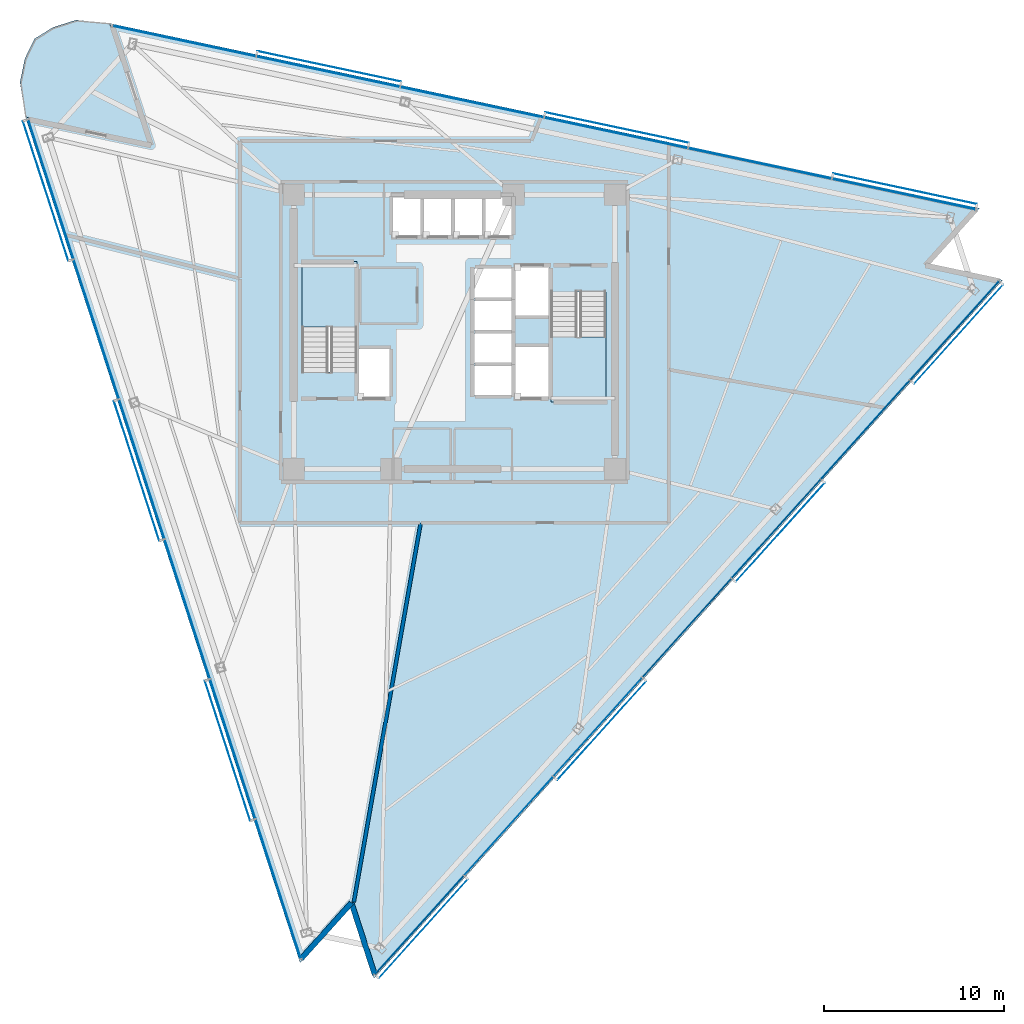
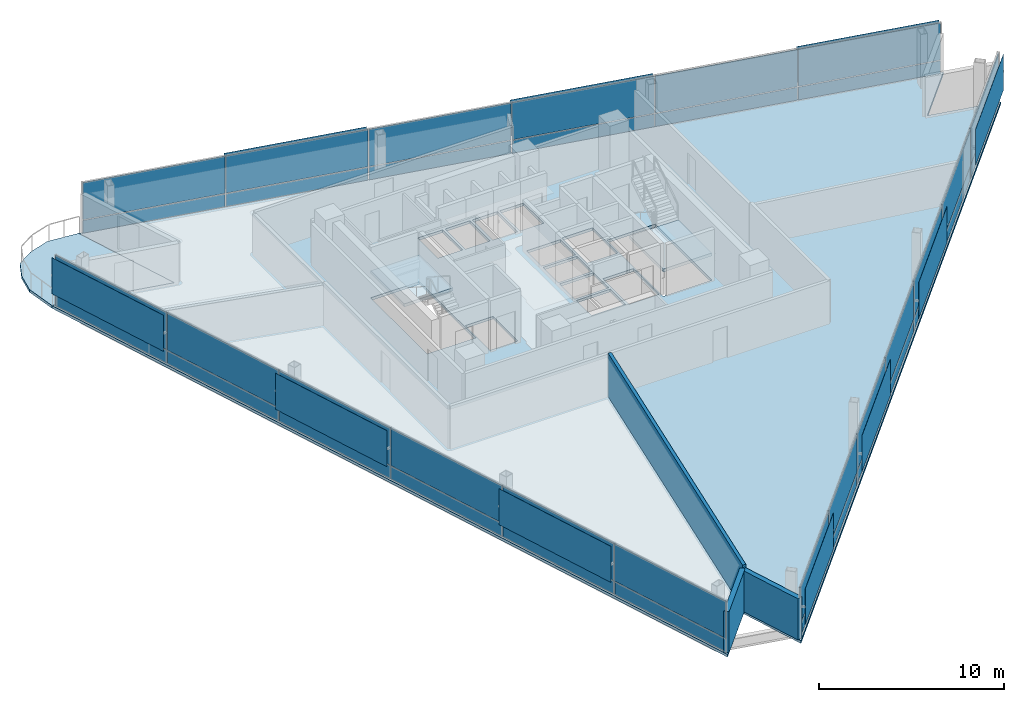
# One storey, part 9 of 16: 48 plates, 4 slabs, 3 walls, 5 elements without a shape of their own.
"""IFC4 building model written with IfcOpenShell, lengths in metres."""

from ifc_helpers import new_model, si_unit, direction, frame, frame_2d, origin, origin_2d, place, context, subcontext, project, spatial, polyline, rectangle, outline, extrude, material, layer, layer_set, type_object, element, aggregate, save


model = new_model("IFC4")

# Units and contexts
model_context = context("Model", 3, precision=1e-05, world=origin(), true_north=direction((0.0, 1.0)))
body_context = subcontext(model_context, "Body", "Model", "MODEL_VIEW")
ifc_project = project(units=[si_unit("LENGTHUNIT", "METRE"), si_unit("AREAUNIT", "SQUARE_METRE"), si_unit("VOLUMEUNIT", "CUBIC_METRE"), si_unit("PLANEANGLEUNIT", "RADIAN"), si_unit("MASSUNIT", "GRAM", prefix="KILO")], contexts=[model_context])

# Site, building, storey
site_placement = place(None, origin())
site = spatial("IfcSite", under=ifc_project, at=site_placement, CompositionType="ELEMENT")
building_placement = place(site_placement, origin())
building = spatial("IfcBuilding", under=site, at=building_placement, Name="Tharavind Bronze Gate", CompositionType="ELEMENT")
storey_placement = place(building_placement, frame((0.0, 0.0, 211.25)))
storey = spatial("IfcBuildingStorey", under=building, at=storey_placement, Name="L54", CompositionType="ELEMENT", Elevation=211.25)

# Plates
ifc_material_1 = material(Name="Perforated Bronze Alloy", Category="bronze")
ifc_layer_1 = layer(ifc_material_1, 0.011962890625)
ifc_layer_set_1 = layer_set([ifc_layer_1], Name="Perforated Bronze Alloy")
plate_type_1 = type_object("IfcPlateType", Name="BRONZE PERFORATED SOLAR SCREEN", PredefinedType="USERDEFINED", material=ifc_layer_set_1)
for number, where, z_axis, x_axis, name in (
    (1, (-22.650634765625, 7.81103515625, 0.96630859375), (0.0, 0.0, 1.0), (0.309016994375, -0.951056516295, 0.0), "CW-L54-S1 perforated bronze solar screen 1"),
    (2, (-17.610107421875, -7.701904296875, 0.96630859375), (0.0, 0.0, 1.0), (0.309016994375, -0.951056516295, 0.0), "CW-L54-S1 perforated bronze solar screen 3"),
    (3, (-12.569580078125, -23.215087890625, 0.96630859375), (0.0, 0.0, 1.0), (0.309016994375, -0.951056516295, 0.0), "CW-L54-S1 perforated bronze solar screen 5"),
):
    element("IfcPlate", number, at=place(storey_placement, frame(where, z_axis=z_axis, x_axis=x_axis)), inside=storey, type_object=plate_type_1, Name=name, ObjectType="SCREEN", PredefinedType="USERDEFINED", context=body_context, shape_type="SweptSolid", body=[
        extrude(rectangle(XDim=8.1357421875, YDim=0.011962890625, at=origin_2d()), origin(), (0.0, 0.0, 1.0), 2.386962890625),
    ])
for number, where, z_axis, x_axis, name in (
    (4, (-1.720703125, -33.081298828125, 0.96630859375), (0.0, 0.0, 1.0), (0.669130606359, 0.743144825477, 0.0), "CW-L54-S2 perforated bronze solar screen 1"),
    (5, (8.168212890625, -22.098388671875, 0.96630859375), (0.0, 0.0, 1.0), (0.669130606359, 0.743144825477, 0.0), "CW-L54-S2 perforated bronze solar screen 3"),
    (6, (18.057373046875, -11.115478515625, 0.96630859375), (0.0, 0.0, 1.0), (0.669130606359, 0.743144825477, 0.0), "CW-L54-S2 perforated bronze solar screen 5"),
    (7, (27.9462890625, -0.132568359375, 0.96630859375), (0.0, 0.0, 1.0), (0.669130606359, 0.743144825477, 0.0), "CW-L54-S2 perforated bronze solar screen 7"),
):
    element("IfcPlate", number, at=place(storey_placement, frame(where, z_axis=z_axis, x_axis=x_axis)), inside=storey, type_object=plate_type_1, Name=name, ObjectType="SCREEN", PredefinedType="USERDEFINED", context=body_context, shape_type="SweptSolid", body=[
        extrude(rectangle(XDim=7.369384765625, YDim=0.011962890625, at=origin_2d()), origin(), (0.0, 0.0, 1.0), 2.386962890625),
    ])
for number, where, z_axis, x_axis, name in (
    (8, (24.977783203125, 7.929931640625, 0.96630859375), (0.0, 0.0, 1.0), (-0.978147600734, 0.207911690818, 0.0), "CW-L54-S3 perforated bronze solar screen 1"),
    (9, (9.022705078125, 11.3212890625, 0.96630859375), (0.0, 0.0, 1.0), (-0.978147600734, 0.207911690818, 0.0), "CW-L54-S3 perforated bronze solar screen 3"),
    (10, (-6.93212890625, 14.712646484375, 0.96630859375), (0.0, 0.0, 1.0), (-0.978147600734, 0.207911690818, 0.0), "CW-L54-S3 perforated bronze solar screen 5"),
):
    element("IfcPlate", number, at=place(storey_placement, frame(where, z_axis=z_axis, x_axis=x_axis)), inside=storey, type_object=plate_type_1, Name=name, ObjectType="SCREEN", PredefinedType="USERDEFINED", context=body_context, shape_type="SweptSolid", body=[
        extrude(rectangle(XDim=8.1357421875, YDim=0.011962890625, at=origin_2d()), origin(), (0.0, 0.0, 1.0), 2.386962890625),
    ])

# Curtain wall, plates
ifc_material_2 = material(Name="Anodised Bronze Aluminium", Category="aluminium")
ifc_layer_2 = layer(ifc_material_2, 0.219970703125)
ifc_layer_set_2 = layer_set([ifc_layer_2], Name="Anodised Bronze Aluminium")
curtain_wall_type = type_object("IfcCurtainWallType", Name="UNITISED CURTAIN WALL MID OFFICE", PredefinedType="USERDEFINED", material=ifc_layer_set_2)
curtain_wall_1_placement = place(storey_placement, origin())
curtain_wall_1 = element("IfcCurtainWall", 11, at=curtain_wall_1_placement, inside=storey, type_object=curtain_wall_type, Name="L54 unitised curtain wall mid office CW-L54-S1", ObjectType="UNITISED CURTAIN WALL", PredefinedType="USERDEFINED")
ifc_material_3 = material(Name="Patinated Bronze Alloy Sheet", Category="bronze")
ifc_layer_3 = layer(ifc_material_3, 0.01611328125)
ifc_layer_set_3 = layer_set([ifc_layer_3], Name="Patinated Bronze Alloy Sheet")
plate_type_2 = type_object("IfcPlateType", Name="BRONZE SPANDREL CLADDING PANEL 16", PredefinedType="CURTAIN_PANEL", material=ifc_layer_set_3)
plate_1_placement = place(storey_placement, frame((-22.3701171875, 7.902099609375, 0.0263671875), z_axis=(0.0, 0.0, 1.0), x_axis=(0.309016994375, -0.951056516295, 0.0)))
plate_1 = element("IfcPlate", 12, at=plate_1_placement, type_object=plate_type_2, Name="CW-L54-S1 bronze spandrel panel 1", PredefinedType="CURTAIN_PANEL", context=body_context, shape_type="SweptSolid", body=[
    extrude(rectangle(XDim=8.102783203125, YDim=0.01611328125, at=origin_2d()), origin(), (0.0, 0.0, 1.0), 0.846923828125),
])
plate_2_placement = place(storey_placement, frame((-19.849853515625, 0.145751953125, 0.0263671875), z_axis=(0.0, 0.0, 1.0), x_axis=(0.309016994375, -0.951056516295, 0.0)))
plate_2 = element("IfcPlate", 13, at=plate_2_placement, type_object=plate_type_2, Name="CW-L54-S1 bronze spandrel panel 2", PredefinedType="CURTAIN_PANEL", context=body_context, shape_type="SweptSolid", body=[
    extrude(rectangle(XDim=8.102783203125, YDim=0.01611328125, at=origin_2d()), origin(), (0.0, 0.0, 1.0), 0.846923828125),
])
plate_3_placement = place(storey_placement, frame((-17.32958984375, -7.61083984375, 0.0263671875), z_axis=(0.0, 0.0, 1.0), x_axis=(0.309016994375, -0.951056516295, 0.0)))
plate_3 = element("IfcPlate", 14, at=plate_3_placement, type_object=plate_type_2, Name="CW-L54-S1 bronze spandrel panel 3", PredefinedType="CURTAIN_PANEL", context=body_context, shape_type="SweptSolid", body=[
    extrude(rectangle(XDim=8.102783203125, YDim=0.01611328125, at=origin_2d()), origin(), (0.0, 0.0, 1.0), 0.846923828125),
])
plate_4_placement = place(storey_placement, frame((-14.809326171875, -15.367431640625, 0.0263671875), z_axis=(0.0, 0.0, 1.0), x_axis=(0.309016994375, -0.951056516295, 0.0)))
plate_4 = element("IfcPlate", 15, at=plate_4_placement, type_object=plate_type_2, Name="CW-L54-S1 bronze spandrel panel 4", PredefinedType="CURTAIN_PANEL", context=body_context, shape_type="SweptSolid", body=[
    extrude(rectangle(XDim=8.102783203125, YDim=0.01611328125, at=origin_2d()), origin(), (0.0, 0.0, 1.0), 0.846923828125),
])
plate_5_placement = place(storey_placement, frame((-12.2890625, -23.123779296875, 0.0263671875), z_axis=(0.0, 0.0, 1.0), x_axis=(0.309016994375, -0.951056516295, 0.0)))
plate_5 = element("IfcPlate", 16, at=plate_5_placement, type_object=plate_type_2, Name="CW-L54-S1 bronze spandrel panel 5", PredefinedType="CURTAIN_PANEL", context=body_context, shape_type="SweptSolid", body=[
    extrude(rectangle(XDim=8.102783203125, YDim=0.01611328125, at=origin_2d()), origin(), (0.0, 0.0, 1.0), 0.846923828125),
])
plate_6_placement = place(storey_placement, frame((-9.768798828125, -30.88037109375, 0.0263671875), z_axis=(0.0, 0.0, 1.0), x_axis=(0.309016994375, -0.951056516295, 0.0)))
plate_6 = element("IfcPlate", 17, at=plate_6_placement, type_object=plate_type_2, Name="CW-L54-S1 bronze spandrel panel 6", PredefinedType="CURTAIN_PANEL", context=body_context, shape_type="SweptSolid", body=[
    extrude(rectangle(XDim=8.102783203125, YDim=0.01611328125, at=origin_2d()), origin(), (0.0, 0.0, 1.0), 0.846923828125),
])

curtain_wall_2_placement = place(storey_placement, origin())
curtain_wall_2 = element("IfcCurtainWall", 18, at=curtain_wall_2_placement, inside=storey, type_object=curtain_wall_type, Name="L54 unitised curtain wall mid office CW-L54-S2", ObjectType="UNITISED CURTAIN WALL", PredefinedType="USERDEFINED")
plate_7_placement = place(storey_placement, frame((-1.93994140625, -32.8837890625, 0.0263671875), z_axis=(0.0, 0.0, 1.0), x_axis=(0.669130606359, 0.743144825477, 0.0)))
plate_7 = element("IfcPlate", 19, at=plate_7_placement, type_object=plate_type_2, Name="CW-L54-S2 bronze spandrel panel 1", PredefinedType="CURTAIN_PANEL", context=body_context, shape_type="SweptSolid", body=[
    extrude(rectangle(XDim=7.33642578125, YDim=0.01611328125, at=origin_2d()), origin(), (0.0, 0.0, 1.0), 0.846923828125),
])
plate_8_placement = place(storey_placement, frame((3.004638671875, -27.392333984375, 0.0263671875), z_axis=(0.0, 0.0, 1.0), x_axis=(0.669130606359, 0.743144825477, 0.0)))
plate_8 = element("IfcPlate", 20, at=plate_8_placement, type_object=plate_type_2, Name="CW-L54-S2 bronze spandrel panel 2", PredefinedType="CURTAIN_PANEL", context=body_context, shape_type="SweptSolid", body=[
    extrude(rectangle(XDim=7.33642578125, YDim=0.01611328125, at=origin_2d()), origin(), (0.0, 0.0, 1.0), 0.846923828125),
])
plate_9_placement = place(storey_placement, frame((7.94921875, -21.90087890625, 0.0263671875), z_axis=(0.0, 0.0, 1.0), x_axis=(0.669130606359, 0.743144825477, 0.0)))
plate_9 = element("IfcPlate", 21, at=plate_9_placement, type_object=plate_type_2, Name="CW-L54-S2 bronze spandrel panel 3", PredefinedType="CURTAIN_PANEL", context=body_context, shape_type="SweptSolid", body=[
    extrude(rectangle(XDim=7.33642578125, YDim=0.01611328125, at=origin_2d()), origin(), (0.0, 0.0, 1.0), 0.846923828125),
])
plate_10_placement = place(storey_placement, frame((12.8935546875, -16.409423828125, 0.0263671875), z_axis=(0.0, 0.0, 1.0), x_axis=(0.669130606359, 0.743144825477, 0.0)))
plate_10 = element("IfcPlate", 22, at=plate_10_placement, type_object=plate_type_2, Name="CW-L54-S2 bronze spandrel panel 4", PredefinedType="CURTAIN_PANEL", context=body_context, shape_type="SweptSolid", body=[
    extrude(rectangle(XDim=7.33642578125, YDim=0.01611328125, at=origin_2d()), origin(), (0.0, 0.0, 1.0), 0.846923828125),
])
plate_11_placement = place(storey_placement, frame((17.838134765625, -10.91796875, 0.0263671875), z_axis=(0.0, 0.0, 1.0), x_axis=(0.669130606359, 0.743144825477, 0.0)))
plate_11 = element("IfcPlate", 23, at=plate_11_placement, type_object=plate_type_2, Name="CW-L54-S2 bronze spandrel panel 5", PredefinedType="CURTAIN_PANEL", context=body_context, shape_type="SweptSolid", body=[
    extrude(rectangle(XDim=7.33642578125, YDim=0.01611328125, at=origin_2d()), origin(), (0.0, 0.0, 1.0), 0.846923828125),
])
plate_12_placement = place(storey_placement, frame((22.78271484375, -5.426513671875, 0.0263671875), z_axis=(0.0, 0.0, 1.0), x_axis=(0.669130606359, 0.743144825477, 0.0)))
plate_12 = element("IfcPlate", 24, at=plate_12_placement, type_object=plate_type_2, Name="CW-L54-S2 bronze spandrel panel 6", PredefinedType="CURTAIN_PANEL", context=body_context, shape_type="SweptSolid", body=[
    extrude(rectangle(XDim=7.33642578125, YDim=0.01611328125, at=origin_2d()), origin(), (0.0, 0.0, 1.0), 0.846923828125),
])
plate_13_placement = place(storey_placement, frame((27.72705078125, 0.06494140625, 0.0263671875), z_axis=(0.0, 0.0, 1.0), x_axis=(0.669130606359, 0.743144825477, 0.0)))
plate_13 = element("IfcPlate", 25, at=plate_13_placement, type_object=plate_type_2, Name="CW-L54-S2 bronze spandrel panel 7", PredefinedType="CURTAIN_PANEL", context=body_context, shape_type="SweptSolid", body=[
    extrude(rectangle(XDim=7.33642578125, YDim=0.01611328125, at=origin_2d()), origin(), (0.0, 0.0, 1.0), 0.846923828125),
])

curtain_wall_3_placement = place(storey_placement, origin())
curtain_wall_3 = element("IfcCurtainWall", 26, at=curtain_wall_3_placement, inside=storey, type_object=curtain_wall_type, Name="L54 unitised curtain wall mid office CW-L54-S3", ObjectType="UNITISED CURTAIN WALL", PredefinedType="USERDEFINED")
plate_14_placement = place(storey_placement, frame((24.91650390625, 7.641357421875, 0.0263671875), z_axis=(0.0, 0.0, 1.0), x_axis=(-0.978147600734, 0.207911690818, 0.0)))
plate_14 = element("IfcPlate", 27, at=plate_14_placement, type_object=plate_type_2, Name="CW-L54-S3 bronze spandrel panel 1", PredefinedType="CURTAIN_PANEL", context=body_context, shape_type="SweptSolid", body=[
    extrude(rectangle(XDim=8.102783203125, YDim=0.01611328125, at=origin_2d()), origin(), (0.0, 0.0, 1.0), 0.846923828125),
])
plate_15_placement = place(storey_placement, frame((16.93896484375, 9.337158203125, 0.0263671875), z_axis=(0.0, 0.0, 1.0), x_axis=(-0.978147600734, 0.207911690818, 0.0)))
plate_15 = element("IfcPlate", 28, at=plate_15_placement, type_object=plate_type_2, Name="CW-L54-S3 bronze spandrel panel 2", PredefinedType="CURTAIN_PANEL", context=body_context, shape_type="SweptSolid", body=[
    extrude(rectangle(XDim=8.102783203125, YDim=0.01611328125, at=origin_2d()), origin(), (0.0, 0.0, 1.0), 0.846923828125),
])
plate_16_placement = place(storey_placement, frame((8.96142578125, 11.03271484375, 0.0263671875), z_axis=(0.0, 0.0, 1.0), x_axis=(-0.978147600734, 0.207911690818, 0.0)))
plate_16 = element("IfcPlate", 29, at=plate_16_placement, type_object=plate_type_2, Name="CW-L54-S3 bronze spandrel panel 3", PredefinedType="CURTAIN_PANEL", context=body_context, shape_type="SweptSolid", body=[
    extrude(rectangle(XDim=8.102783203125, YDim=0.01611328125, at=origin_2d()), origin(), (0.0, 0.0, 1.0), 0.846923828125),
])
plate_17_placement = place(storey_placement, frame((0.98388671875, 12.728515625, 0.0263671875), z_axis=(0.0, 0.0, 1.0), x_axis=(-0.978147600734, 0.207911690818, 0.0)))
plate_17 = element("IfcPlate", 30, at=plate_17_placement, type_object=plate_type_2, Name="CW-L54-S3 bronze spandrel panel 4", PredefinedType="CURTAIN_PANEL", context=body_context, shape_type="SweptSolid", body=[
    extrude(rectangle(XDim=8.102783203125, YDim=0.01611328125, at=origin_2d()), origin(), (0.0, 0.0, 1.0), 0.846923828125),
])
plate_18_placement = place(storey_placement, frame((-6.993408203125, 14.424072265625, 0.0263671875), z_axis=(0.0, 0.0, 1.0), x_axis=(-0.978147600734, 0.207911690818, 0.0)))
plate_18 = element("IfcPlate", 31, at=plate_18_placement, type_object=plate_type_2, Name="CW-L54-S3 bronze spandrel panel 5", PredefinedType="CURTAIN_PANEL", context=body_context, shape_type="SweptSolid", body=[
    extrude(rectangle(XDim=8.102783203125, YDim=0.01611328125, at=origin_2d()), origin(), (0.0, 0.0, 1.0), 0.846923828125),
])
plate_19_placement = place(storey_placement, frame((-14.970947265625, 16.119873046875, 0.0263671875), z_axis=(0.0, 0.0, 1.0), x_axis=(-0.978147600734, 0.207911690818, 0.0)))
plate_19 = element("IfcPlate", 32, at=plate_19_placement, type_object=plate_type_2, Name="CW-L54-S3 bronze spandrel panel 6", PredefinedType="CURTAIN_PANEL", context=body_context, shape_type="SweptSolid", body=[
    extrude(rectangle(XDim=8.102783203125, YDim=0.01611328125, at=origin_2d()), origin(), (0.0, 0.0, 1.0), 0.846923828125),
])

# Slab
ifc_material_4 = material(Name="Concrete C40/50", Category="concrete")
ifc_layer_4 = layer(ifc_material_4, 0.179931640625)
ifc_layer_set_4 = layer_set([ifc_layer_4], Name="Concrete C40/50")
slab_type_1 = type_object("IfcSlabType", Name="EXTERIOR BALCONY SLAB 180", PredefinedType="FLOOR", material=ifc_layer_set_4)
slab_1_placement = place(storey_placement, frame((0.0, 0.0, -0.179931640625)))
element("IfcSlab", 33, at=slab_1_placement, inside=storey, type_object=slab_type_1, Name="L54 northeast tree balcony slab", PredefinedType="FLOOR", context=body_context, shape_type="SweptSolid", body=[
    extrude(outline(polyline([(-20.960693359375, 17.28564453125), (-22.246337890625, 16.877685546875), (-23.275634765625, 16.239013671875), (-23.80322265625, 15.148681640625), (-24.074462890625, 13.82763671875), (-23.77880859375, 11.914306640625), (-16.951416015625, 10.463134765625), (-19.1083984375, 17.101318359375), (-20.960693359375, 17.28564453125)])), origin(), (0.0, 0.0, 1.0), 0.179931640625),
])

# Stair, slab
stair_type = type_object("IfcStairType", Name="CORE HALF TURN STAIR 1450", PredefinedType="HALF_TURN_STAIR", material=ifc_material_4)
stair_1_placement = place(storey_placement, origin())
stair_1 = element("IfcStair", 34, at=stair_1_placement, inside=storey, type_object=stair_type, Name="L54 Protected Exit Stair ST1", PredefinedType="HALF_TURN_STAIR")
ifc_layer_5 = layer(ifc_material_4, 0.199951171875)
ifc_layer_set_5 = layer_set([ifc_layer_5], Name="Concrete C40/50")
slab_type_2 = type_object("IfcSlabType", Name="STAIR LANDING SLAB 200", PredefinedType="LANDING", material=ifc_layer_set_5)
slab_2_placement = place(storey_placement, frame((0.0, 0.0, 1.60009765625)))
slab_2 = element("IfcSlab", 35, at=slab_2_placement, type_object=slab_type_2, Name="ST1 landing 1", PredefinedType="LANDING", context=body_context, shape_type="SweptSolid", body=[
    extrude(outline(polyline([(-5.39990234375, 0.27001953125), (-5.39990234375, 3.89990234375), (-8.449951171875, 3.89990234375), (-8.449951171875, 0.27001953125), (-5.39990234375, 0.27001953125)])), origin(), (0.0, 0.0, 1.0), 0.199951171875),
])
aggregate(stair_1, [slab_2])

stair_2_placement = place(storey_placement, origin())
stair_2 = element("IfcStair", 36, at=stair_2_placement, inside=storey, type_object=stair_type, Name="L54 Protected Exit Stair ST2", PredefinedType="HALF_TURN_STAIR")
slab_3_placement = place(storey_placement, frame((0.0, 0.0, 1.60009765625)))
slab_3 = element("IfcSlab", 37, at=slab_3_placement, type_object=slab_type_2, Name="ST2 landing 1", PredefinedType="LANDING", context=body_context, shape_type="SweptSolid", body=[
    extrude(outline(polyline([(5.35009765625, -0.27001953125), (5.35009765625, -3.89990234375), (8.39990234375, -3.89990234375), (8.39990234375, -0.27001953125), (5.35009765625, -0.27001953125)])), origin(), (0.0, 0.0, 1.0), 0.199951171875),
])
aggregate(stair_2, [slab_3])

# Slab
ifc_layer_6 = layer(ifc_material_4, 0.179931640625)
ifc_layer_set_6 = layer_set([ifc_layer_6], Name="Concrete C40/50")
slab_type_3 = type_object("IfcSlabType", Name="STRUCTURAL FLOOR SLAB 180", PredefinedType="FLOOR", material=ifc_layer_set_6)
slab_4_placement = place(storey_placement, frame((0.0, 0.0, -0.179931640625)))
element("IfcSlab", 38, at=slab_4_placement, inside=storey, type_object=slab_type_3, Name="L54 main structural floor slab", PredefinedType="FLOOR", context=body_context, shape_type="SweptSolid", body=[
    extrude(outline(polyline([(-19.1083984375, 17.101318359375), (-16.951416015625, 10.463134765625), (-23.77880859375, 11.914306640625), (-8.55029296875, -34.954345703125), (-5.748046875, -31.842041015625), (-4.453857421875, -35.8251953125), (30.3896484375, 2.872314453125), (26.293212890625, 3.7431640625), (29.095458984375, 6.85546875), (-19.1083984375, 17.101318359375)]), holes=[polyline([(-5.39990234375, -2.215087890625), (-5.39990234375, 3.89990234375), (-8.449951171875, 3.89990234375), (-8.449951171875, -2.215087890625), (-5.39990234375, -2.215087890625)]), polyline([(5.35009765625, 2.215087890625), (5.35009765625, -3.89990234375), (8.39990234375, -3.89990234375), (8.39990234375, 2.215087890625), (5.35009765625, 2.215087890625)]), polyline([(-3.419921875, 5.330078125), (-1.867431640625, 5.330078125), (-1.867431640625, 7.52001953125), (-3.419921875, 7.52001953125), (-3.419921875, 5.330078125)]), polyline([(-1.70751953125, 5.330078125), (-0.155029296875, 5.330078125), (-0.155029296875, 7.52001953125), (-1.70751953125, 7.52001953125), (-1.70751953125, 5.330078125)]), polyline([(0.0048828125, 5.330078125), (1.5576171875, 5.330078125), (1.5576171875, 7.52001953125), (0.0048828125, 7.52001953125), (0.0048828125, 5.330078125)]), polyline([(1.717529296875, 5.330078125), (3.199951171875, 5.330078125), (3.199951171875, 7.52001953125), (1.717529296875, 7.52001953125), (1.717529296875, 5.330078125)]), polyline([(1.080078125, -3.52001953125), (3.199951171875, -3.52001953125), (3.199951171875, -1.8798828125), (1.080078125, -1.8798828125), (1.080078125, -3.52001953125)]), polyline([(1.080078125, -1.719970703125), (3.199951171875, -1.719970703125), (3.199951171875, -0.080078125), (1.080078125, -0.080078125), (1.080078125, -1.719970703125)]), polyline([(1.080078125, 0.080078125), (3.199951171875, 0.080078125), (3.199951171875, 1.719970703125), (1.080078125, 1.719970703125), (1.080078125, 0.080078125)]), polyline([(1.080078125, 1.8798828125), (3.199951171875, 1.8798828125), (3.199951171875, 3.52001953125), (1.080078125, 3.52001953125), (1.080078125, 1.8798828125)]), polyline([(-5.320068359375, -3.6201171875), (-3.580078125, -3.6201171875), (-3.580078125, -0.929931640625), (-5.320068359375, -0.929931640625), (-5.320068359375, -3.6201171875)]), polyline([(3.360107421875, 0.8798828125), (5.27001953125, 0.8798828125), (5.27001953125, 3.6201171875), (3.360107421875, 3.6201171875), (3.360107421875, 0.8798828125)]), polyline([(3.360107421875, -3.6201171875), (5.27001953125, -3.6201171875), (5.27001953125, -0.830078125), (3.360107421875, -0.830078125), (3.360107421875, -3.6201171875)])]), origin(), (0.0, 0.0, 1.0), 0.179931640625),
])

# Plate
ifc_material_5 = material(Name="Triple Solar Control Glazing", Category="glass")
ifc_layer_7 = layer(ifc_material_5, 0.0439453125)
ifc_layer_set_7 = layer_set([ifc_layer_7], Name="Triple Solar Control Glazing")
plate_type_3 = type_object("IfcPlateType", Name="TRIPLE GLAZED FACADE PANEL 44", PredefinedType="CURTAIN_PANEL", material=ifc_layer_set_7)
plate_20_placement = place(storey_placement, frame((-22.3701171875, 7.902099609375, 0.92626953125), z_axis=(0.0, 0.0, 1.0), x_axis=(0.309016994375, -0.951056516295, 0.0)))
plate_20 = element("IfcPlate", 39, at=plate_20_placement, type_object=plate_type_3, Name="CW-L54-S1 vision glazing panel 1", PredefinedType="CURTAIN_PANEL", context=body_context, shape_type="SweptSolid", body=[
    extrude(rectangle(XDim=8.102783203125, YDim=0.0439453125, at=origin_2d()), origin(), (0.0, 0.0, 1.0), 2.467041015625),
])

plate_21_placement = place(storey_placement, frame((-19.849853515625, 0.145751953125, 0.92626953125), z_axis=(0.0, 0.0, 1.0), x_axis=(0.309016994375, -0.951056516295, 0.0)))
plate_21 = element("IfcPlate", 40, at=plate_21_placement, type_object=plate_type_3, Name="CW-L54-S1 vision glazing panel 2", PredefinedType="CURTAIN_PANEL", context=body_context, shape_type="SweptSolid", body=[
    extrude(rectangle(XDim=8.102783203125, YDim=0.0439453125, at=origin_2d()), origin(), (0.0, 0.0, 1.0), 2.467041015625),
])

plate_22_placement = place(storey_placement, frame((-17.32958984375, -7.61083984375, 0.92626953125), z_axis=(0.0, 0.0, 1.0), x_axis=(0.309016994375, -0.951056516295, 0.0)))
plate_22 = element("IfcPlate", 41, at=plate_22_placement, type_object=plate_type_3, Name="CW-L54-S1 vision glazing panel 3", PredefinedType="CURTAIN_PANEL", context=body_context, shape_type="SweptSolid", body=[
    extrude(rectangle(XDim=8.102783203125, YDim=0.0439453125, at=origin_2d()), origin(), (0.0, 0.0, 1.0), 2.467041015625),
])

plate_23_placement = place(storey_placement, frame((-14.809326171875, -15.367431640625, 0.92626953125), z_axis=(0.0, 0.0, 1.0), x_axis=(0.309016994375, -0.951056516295, 0.0)))
plate_23 = element("IfcPlate", 42, at=plate_23_placement, type_object=plate_type_3, Name="CW-L54-S1 vision glazing panel 4", PredefinedType="CURTAIN_PANEL", context=body_context, shape_type="SweptSolid", body=[
    extrude(rectangle(XDim=8.102783203125, YDim=0.0439453125, at=origin_2d()), origin(), (0.0, 0.0, 1.0), 2.467041015625),
])

plate_24_placement = place(storey_placement, frame((-12.2890625, -23.123779296875, 0.92626953125), z_axis=(0.0, 0.0, 1.0), x_axis=(0.309016994375, -0.951056516295, 0.0)))
plate_24 = element("IfcPlate", 43, at=plate_24_placement, type_object=plate_type_3, Name="CW-L54-S1 vision glazing panel 5", PredefinedType="CURTAIN_PANEL", context=body_context, shape_type="SweptSolid", body=[
    extrude(rectangle(XDim=8.102783203125, YDim=0.0439453125, at=origin_2d()), origin(), (0.0, 0.0, 1.0), 2.467041015625),
])

plate_25_placement = place(storey_placement, frame((-9.768798828125, -30.88037109375, 0.92626953125), z_axis=(0.0, 0.0, 1.0), x_axis=(0.309016994375, -0.951056516295, 0.0)))
plate_25 = element("IfcPlate", 44, at=plate_25_placement, type_object=plate_type_3, Name="CW-L54-S1 vision glazing panel 6", PredefinedType="CURTAIN_PANEL", context=body_context, shape_type="SweptSolid", body=[
    extrude(rectangle(XDim=8.102783203125, YDim=0.0439453125, at=origin_2d()), origin(), (0.0, 0.0, 1.0), 2.467041015625),
])

aggregate(curtain_wall_1, [plate_1, plate_20, plate_2, plate_21, plate_3, plate_22, plate_4, plate_23, plate_5, plate_24, plate_6, plate_25])

plate_26_placement = place(storey_placement, frame((-1.93994140625, -32.8837890625, 0.92626953125), z_axis=(0.0, 0.0, 1.0), x_axis=(0.669130606359, 0.743144825477, 0.0)))
plate_26 = element("IfcPlate", 45, at=plate_26_placement, type_object=plate_type_3, Name="CW-L54-S2 vision glazing panel 1", PredefinedType="CURTAIN_PANEL", context=body_context, shape_type="SweptSolid", body=[
    extrude(rectangle(XDim=7.33642578125, YDim=0.0439453125, at=origin_2d()), origin(), (0.0, 0.0, 1.0), 2.467041015625),
])

plate_27_placement = place(storey_placement, frame((3.004638671875, -27.392333984375, 0.92626953125), z_axis=(0.0, 0.0, 1.0), x_axis=(0.669130606359, 0.743144825477, 0.0)))
plate_27 = element("IfcPlate", 46, at=plate_27_placement, type_object=plate_type_3, Name="CW-L54-S2 vision glazing panel 2", PredefinedType="CURTAIN_PANEL", context=body_context, shape_type="SweptSolid", body=[
    extrude(rectangle(XDim=7.33642578125, YDim=0.0439453125, at=origin_2d()), origin(), (0.0, 0.0, 1.0), 2.467041015625),
])

plate_28_placement = place(storey_placement, frame((7.94921875, -21.90087890625, 0.92626953125), z_axis=(0.0, 0.0, 1.0), x_axis=(0.669130606359, 0.743144825477, 0.0)))
plate_28 = element("IfcPlate", 47, at=plate_28_placement, type_object=plate_type_3, Name="CW-L54-S2 vision glazing panel 3", PredefinedType="CURTAIN_PANEL", context=body_context, shape_type="SweptSolid", body=[
    extrude(rectangle(XDim=7.33642578125, YDim=0.0439453125, at=origin_2d()), origin(), (0.0, 0.0, 1.0), 2.467041015625),
])

plate_29_placement = place(storey_placement, frame((12.8935546875, -16.409423828125, 0.92626953125), z_axis=(0.0, 0.0, 1.0), x_axis=(0.669130606359, 0.743144825477, 0.0)))
plate_29 = element("IfcPlate", 48, at=plate_29_placement, type_object=plate_type_3, Name="CW-L54-S2 vision glazing panel 4", PredefinedType="CURTAIN_PANEL", context=body_context, shape_type="SweptSolid", body=[
    extrude(rectangle(XDim=7.33642578125, YDim=0.0439453125, at=origin_2d()), origin(), (0.0, 0.0, 1.0), 2.467041015625),
])

plate_30_placement = place(storey_placement, frame((17.838134765625, -10.91796875, 0.92626953125), z_axis=(0.0, 0.0, 1.0), x_axis=(0.669130606359, 0.743144825477, 0.0)))
plate_30 = element("IfcPlate", 49, at=plate_30_placement, type_object=plate_type_3, Name="CW-L54-S2 vision glazing panel 5", PredefinedType="CURTAIN_PANEL", context=body_context, shape_type="SweptSolid", body=[
    extrude(rectangle(XDim=7.33642578125, YDim=0.0439453125, at=origin_2d()), origin(), (0.0, 0.0, 1.0), 2.467041015625),
])

plate_31_placement = place(storey_placement, frame((22.78271484375, -5.426513671875, 0.92626953125), z_axis=(0.0, 0.0, 1.0), x_axis=(0.669130606359, 0.743144825477, 0.0)))
plate_31 = element("IfcPlate", 50, at=plate_31_placement, type_object=plate_type_3, Name="CW-L54-S2 vision glazing panel 6", PredefinedType="CURTAIN_PANEL", context=body_context, shape_type="SweptSolid", body=[
    extrude(rectangle(XDim=7.33642578125, YDim=0.0439453125, at=origin_2d()), origin(), (0.0, 0.0, 1.0), 2.467041015625),
])

plate_32_placement = place(storey_placement, frame((27.72705078125, 0.06494140625, 0.92626953125), z_axis=(0.0, 0.0, 1.0), x_axis=(0.669130606359, 0.743144825477, 0.0)))
plate_32 = element("IfcPlate", 51, at=plate_32_placement, type_object=plate_type_3, Name="CW-L54-S2 vision glazing panel 7", PredefinedType="CURTAIN_PANEL", context=body_context, shape_type="SweptSolid", body=[
    extrude(rectangle(XDim=7.33642578125, YDim=0.0439453125, at=origin_2d()), origin(), (0.0, 0.0, 1.0), 2.467041015625),
])

aggregate(curtain_wall_2, [plate_7, plate_26, plate_8, plate_27, plate_9, plate_28, plate_10, plate_29, plate_11, plate_30, plate_12, plate_31, plate_13, plate_32])

plate_33_placement = place(storey_placement, frame((24.91650390625, 7.641357421875, 0.92626953125), z_axis=(0.0, 0.0, 1.0), x_axis=(-0.978147600734, 0.207911690818, 0.0)))
plate_33 = element("IfcPlate", 52, at=plate_33_placement, type_object=plate_type_3, Name="CW-L54-S3 vision glazing panel 1", PredefinedType="CURTAIN_PANEL", context=body_context, shape_type="SweptSolid", body=[
    extrude(rectangle(XDim=8.102783203125, YDim=0.0439453125, at=origin_2d()), origin(), (0.0, 0.0, 1.0), 2.467041015625),
])

plate_34_placement = place(storey_placement, frame((16.93896484375, 9.337158203125, 0.92626953125), z_axis=(0.0, 0.0, 1.0), x_axis=(-0.978147600734, 0.207911690818, 0.0)))
plate_34 = element("IfcPlate", 53, at=plate_34_placement, type_object=plate_type_3, Name="CW-L54-S3 vision glazing panel 2", PredefinedType="CURTAIN_PANEL", context=body_context, shape_type="SweptSolid", body=[
    extrude(rectangle(XDim=8.102783203125, YDim=0.0439453125, at=origin_2d()), origin(), (0.0, 0.0, 1.0), 2.467041015625),
])

plate_35_placement = place(storey_placement, frame((8.96142578125, 11.03271484375, 0.92626953125), z_axis=(0.0, 0.0, 1.0), x_axis=(-0.978147600734, 0.207911690818, 0.0)))
plate_35 = element("IfcPlate", 54, at=plate_35_placement, type_object=plate_type_3, Name="CW-L54-S3 vision glazing panel 3", PredefinedType="CURTAIN_PANEL", context=body_context, shape_type="SweptSolid", body=[
    extrude(rectangle(XDim=8.102783203125, YDim=0.0439453125, at=origin_2d()), origin(), (0.0, 0.0, 1.0), 2.467041015625),
])

plate_36_placement = place(storey_placement, frame((0.98388671875, 12.728515625, 0.92626953125), z_axis=(0.0, 0.0, 1.0), x_axis=(-0.978147600734, 0.207911690818, 0.0)))
plate_36 = element("IfcPlate", 55, at=plate_36_placement, type_object=plate_type_3, Name="CW-L54-S3 vision glazing panel 4", PredefinedType="CURTAIN_PANEL", context=body_context, shape_type="SweptSolid", body=[
    extrude(rectangle(XDim=8.102783203125, YDim=0.0439453125, at=origin_2d()), origin(), (0.0, 0.0, 1.0), 2.467041015625),
])

plate_37_placement = place(storey_placement, frame((-6.993408203125, 14.424072265625, 0.92626953125), z_axis=(0.0, 0.0, 1.0), x_axis=(-0.978147600734, 0.207911690818, 0.0)))
plate_37 = element("IfcPlate", 56, at=plate_37_placement, type_object=plate_type_3, Name="CW-L54-S3 vision glazing panel 5", PredefinedType="CURTAIN_PANEL", context=body_context, shape_type="SweptSolid", body=[
    extrude(rectangle(XDim=8.102783203125, YDim=0.0439453125, at=origin_2d()), origin(), (0.0, 0.0, 1.0), 2.467041015625),
])

plate_38_placement = place(storey_placement, frame((-14.970947265625, 16.119873046875, 0.92626953125), z_axis=(0.0, 0.0, 1.0), x_axis=(-0.978147600734, 0.207911690818, 0.0)))
plate_38 = element("IfcPlate", 57, at=plate_38_placement, type_object=plate_type_3, Name="CW-L54-S3 vision glazing panel 6", PredefinedType="CURTAIN_PANEL", context=body_context, shape_type="SweptSolid", body=[
    extrude(rectangle(XDim=8.102783203125, YDim=0.0439453125, at=origin_2d()), origin(), (0.0, 0.0, 1.0), 2.467041015625),
])

aggregate(curtain_wall_3, [plate_14, plate_33, plate_15, plate_34, plate_16, plate_35, plate_17, plate_36, plate_18, plate_37, plate_19, plate_38])

# Walls
ifc_layer_8 = layer(ifc_material_4, 0.300048828125)
ifc_layer_set_8 = layer_set([ifc_layer_8], Name="Concrete C40/50")
wall_type_1 = type_object("IfcWallType", Name="EXTERIOR SPANDREL WALL 300", PredefinedType="STANDARD", material=ifc_layer_set_8)
wall_1_placement = place(storey_placement, frame((-8.5087890625, -34.7587890625, 0.0), z_axis=(0.0, 0.0, 1.0), x_axis=(0.669151507466, 0.743126005504, 0.0)))
element("IfcWall", 58, at=wall_1_placement, inside=storey, type_object=wall_type_1, Name="L54 notch cheek wall 2A", PredefinedType="STANDARD", context=body_context, shape_type="SweptSolid", body=[
    extrude(rectangle(XDim=4.188232421875, YDim=0.300048828125, at=frame_2d((2.09423828125, 0.0))), origin(), (0.0, 0.0, 1.0), 2.715087890625),
])
wall_2_placement = place(storey_placement, frame((-5.706298828125, -31.646484375, 0.0), z_axis=(0.0, 0.0, 1.0), x_axis=(0.309030708092, -0.951052060329, 0.0)))
element("IfcWall", 59, at=wall_2_placement, inside=storey, type_object=wall_type_1, Name="L54 notch cheek wall 2B", PredefinedType="STANDARD", context=body_context, shape_type="SweptSolid", body=[
    extrude(rectangle(XDim=4.18798828125, YDim=0.300048828125, at=frame_2d((2.093994140625, 0.0))), origin(), (0.0, 0.0, 1.0), 2.715087890625),
])
ifc_material_6 = material(Name="Aerated Concrete Block", Category="concrete")
ifc_layer_9 = layer(ifc_material_6, 0.199951171875)
ifc_layer_set_9 = layer_set([ifc_layer_9], Name="Aerated Concrete Block")
wall_type_2 = type_object("IfcWallType", Name="FIRE RATED PARTITION 200", PredefinedType="PARTITIONING", material=ifc_layer_set_9)
wall_3_placement = place(storey_placement, frame((-1.87060546875, -10.609375, 0.0), z_axis=(0.0, 0.0, 1.0), x_axis=(-0.173657277428, -0.984806148436, 0.0)))
element("IfcWall", 60, at=wall_3_placement, inside=storey, type_object=wall_type_2, Name="L54 Executive Research Library partition", PredefinedType="PARTITIONING", context=body_context, shape_type="SweptSolid", body=[
    extrude(rectangle(XDim=21.3173828125, YDim=0.199951171875, at=frame_2d((10.65869140625, 0.0))), origin(), (0.0, 0.0, 1.0), 2.864990234375),
])

save(model, "model.ifc")
